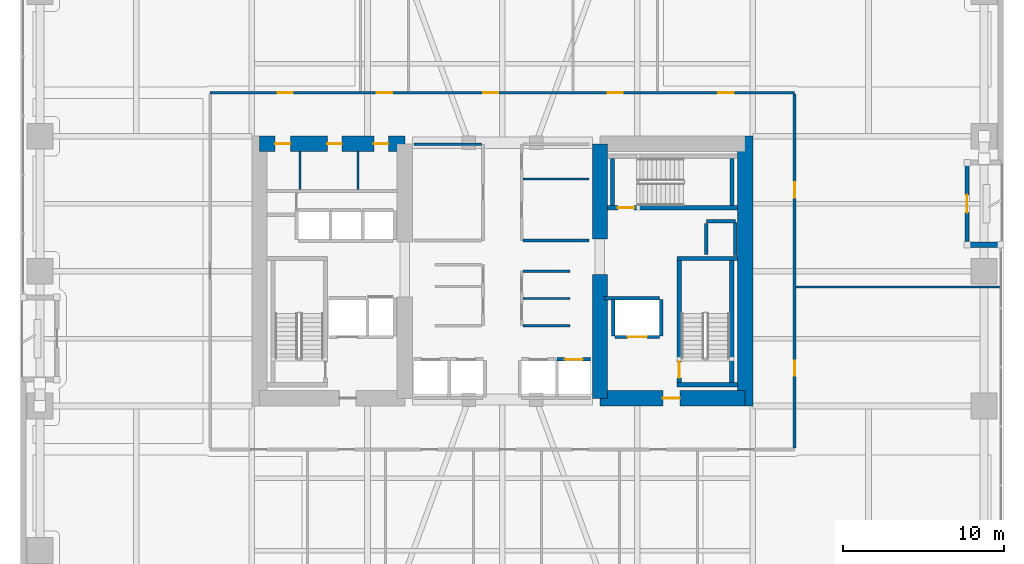
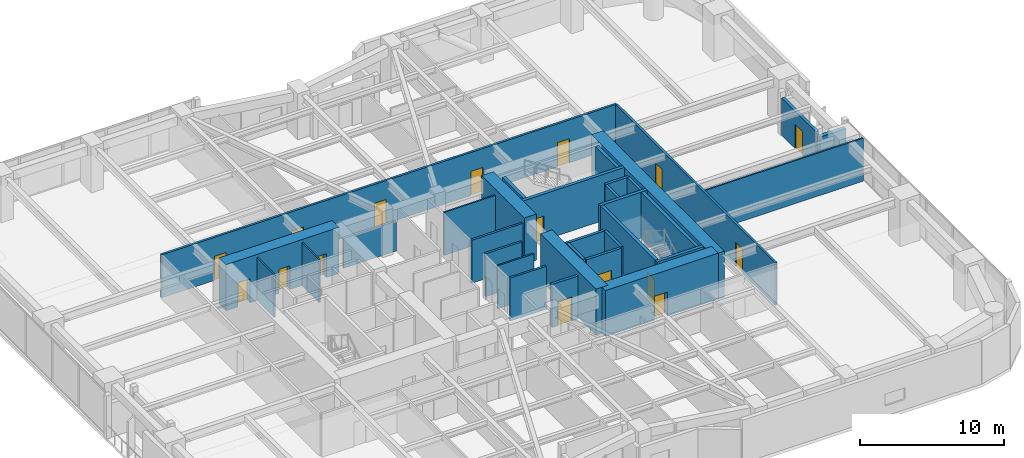
# One storey, part 24 of 29: 33 walls, 16 doors, 16 openings.
"""IFC4 building model written with IfcOpenShell, lengths in metres."""

import ifcopenshell
import ifcopenshell.guid

model = None  # the IFC model being written
_history = None  # IfcOwnerHistory: only IFC2X3 demands one
_inside = {}  # id of a spatial element -> (the spatial element, [elements in it])
_under = {}  # id of a project, library or spatial element -> (it, [spatial elements below it])
_declared = {}  # id of a project -> (the project, [libraries it declares])
_typed = {}  # id of a type object -> (the type object, [elements of that type])
_made_of = {}  # id of a material, layer set ... -> (it, [elements and type objects made of it])


def new_model(schema):
    """Start an empty IFC model of exactly this schema.

    Asked for "IFC4X3", IfcOpenShell would pick the latest addendum, in which some entities
    have other attributes; the version numbers below select the first issue.
    IFC2X3 requires an IfcOwnerHistory on every rooted entity: one is made here for all.
    """
    global model, _history
    if schema == "IFC4X3":
        model = ifcopenshell.file(schema_version=(4, 3, 0, 0))
    else:
        model = ifcopenshell.file(schema=schema)
    _inside.clear()
    _under.clear()
    _declared.clear()
    _typed.clear()
    _made_of.clear()
    _history = None
    if model.schema == "IFC2X3":
        org = make("IfcOrganization", Name="unknown")
        user = make(
            "IfcPersonAndOrganization",
            ThePerson=make("IfcPerson", FamilyName="unknown"),
            TheOrganization=org,
        )
        app = make(
            "IfcApplication",
            ApplicationDeveloper=org,
            Version="unknown",
            ApplicationFullName="unknown",
            ApplicationIdentifier="unknown",
        )
        _history = make(
            "IfcOwnerHistory",
            OwningUser=user,
            OwningApplication=app,
            ChangeAction="ADDED",
            CreationDate=0,
        )
    return model


def make(cls, **values):
    """One entity of the class cls with the attributes given. An attribute that is None is left unset."""
    return model.create_entity(
        cls, **{name: value for name, value in values.items() if value is not None}
    )


def rooted(cls, **values):
    """An entity with a GlobalId (a new one), such as an element, a storey or a relation."""
    return make(cls, GlobalId=ifcopenshell.guid.new(), OwnerHistory=_history, **values)


def si_unit(unit_type, name, prefix=None):
    """IfcSIUnit, for example si_unit("LENGTHUNIT", "METRE", prefix="MILLI")."""
    return make("IfcSIUnit", UnitType=unit_type, Prefix=prefix, Name=name)


def assignment(units):
    """IfcUnitAssignment: the units of a project."""
    return None if units is None else make("IfcUnitAssignment", Units=units)


def point(xyz):
    """IfcCartesianPoint."""
    return None if xyz is None else make("IfcCartesianPoint", Coordinates=xyz)


def direction(xyz):
    """IfcDirection."""
    return None if xyz is None else make("IfcDirection", DirectionRatios=xyz)


def frame(location, z_axis=None, x_axis=None):
    """IfcAxis2Placement3D, a coordinate frame: its origin and axes. An axis left out is left unset."""
    return make(
        "IfcAxis2Placement3D",
        Location=point(location),
        Axis=direction(z_axis),
        RefDirection=direction(x_axis),
    )


def frame_2d(location, x_axis=None):
    """IfcAxis2Placement2D, a coordinate frame in the plane: its origin and x axis."""
    return make(
        "IfcAxis2Placement2D", Location=point(location), RefDirection=direction(x_axis)
    )


def origin():
    """The frame at (0, 0, 0) with its axes left unset."""
    return frame((0.0, 0.0, 0.0))


def place(relative_to, where):
    """IfcLocalPlacement: puts the frame where relative to a parent placement (None: the world)."""
    return make(
        "IfcLocalPlacement", PlacementRelTo=relative_to, RelativePlacement=where
    )


def context(
    kind, dimensions, precision=None, world=None, true_north=None, identifier=None
):
    """IfcGeometricRepresentationContext, for example the 3D "Model" context."""
    return make(
        "IfcGeometricRepresentationContext",
        ContextIdentifier=identifier,
        ContextType=kind,
        CoordinateSpaceDimension=dimensions,
        Precision=precision,
        WorldCoordinateSystem=world,
        TrueNorth=true_north,
    )


def subcontext(parent, identifier, kind, view, scale=None):
    """IfcGeometricRepresentationSubContext, for example "Body" below "Model"."""
    return make(
        "IfcGeometricRepresentationSubContext",
        ContextIdentifier=identifier,
        ContextType=kind,
        ParentContext=parent,
        TargetScale=scale,
        TargetView=view,
    )


def project(units=None, contexts=None):
    """IfcProject with its units and contexts."""
    return rooted(
        "IfcProject",
        Name="project",
        RepresentationContexts=contexts,
        UnitsInContext=assignment(units),
    )


def spatial(cls, under=None, at=None, **own):
    """A site, building, storey or space (cls), placed at a placement, below another one or the project."""
    s = rooted(cls, ObjectPlacement=at, **own)
    if under is not None:
        _under.setdefault(under.id(), (under, []))[1].append(s)
    return s


def profile(cls, at=None, kind="AREA", **sizes):
    """A parametric profile (cls). Its sizes go by their IFC names, for example OverallWidth=200.0."""
    return make(cls, ProfileType=kind, Position=at, **sizes)


def rectangle(**sizes):
    """IfcRectangleProfileDef."""
    return profile("IfcRectangleProfileDef", **sizes)


def extrude(swept, where, along, depth):
    """IfcExtrudedAreaSolid: the profile swept, set in the frame where, extruded along a direction by depth."""
    return make(
        "IfcExtrudedAreaSolid",
        SweptArea=swept,
        Position=where,
        ExtrudedDirection=direction(along),
        Depth=depth,
    )


def shape(context_of_items, identifier, shape_type, items):
    """IfcShapeRepresentation: the items that make up one representation, for example the "Body"."""
    return make(
        "IfcShapeRepresentation",
        ContextOfItems=context_of_items,
        RepresentationIdentifier=identifier,
        RepresentationType=shape_type,
        Items=items,
    )


def material(Name=None, Category=None):
    """IfcMaterial."""
    return make("IfcMaterial", Name=Name, Category=Category)


def layer(
    of_material, thickness, ventilated=None, Name=None, Category=None, Priority=None
):
    """IfcMaterialLayer: one layer of a wall or slab, of a material (None: an air gap)."""
    return make(
        "IfcMaterialLayer",
        Material=of_material,
        LayerThickness=thickness,
        IsVentilated=ventilated,
        Name=Name,
        Category=Category,
        Priority=Priority,
    )


def layer_set(layers, Name=None):
    """IfcMaterialLayerSet."""
    return make("IfcMaterialLayerSet", MaterialLayers=layers, LayerSetName=Name)


def made_of(thing, what):
    """Note that an element or type object is made of a material, layer set ...; save() writes the relation."""
    if what is not None:
        _made_of.setdefault(what.id(), (what, []))[1].append(thing)
    return thing


def type_object(cls, material=None, **own):
    """A type object (cls), such as IfcWallType, which elements share."""
    return made_of(rooted(cls, **own), material)


def element(
    cls,
    number,
    at=None,
    inside=None,
    cuts=None,
    type_object=None,
    material=None,
    context=None,
    identifier="Body",
    shape_type=None,
    held_by="IfcProductDefinitionShape",
    body=None,
    shapes=None,
    **own,
):
    """One element of the class cls, such as IfcWall. Its Tag is "e" and its number.

    at: its placement. inside: the storey or other place that contains it. cuts: it is an
    opening in that element (IfcRelVoidsElement). A single representation is given by context,
    identifier, shape_type and body (its items); several are given by shapes. held_by: the class
    of the entity that holds the representations. save() writes the other relations.
    """
    e = rooted(cls, Tag="e%d" % number, ObjectPlacement=at, **own)
    if body is not None:
        shapes = [shape(context, identifier, shape_type, body)]
    if shapes is not None:
        e.Representation = make(held_by, Representations=shapes)
    if inside is not None:
        _inside.setdefault(inside.id(), (inside, []))[1].append(e)
    if cuts is not None:
        rooted(
            "IfcRelVoidsElement", RelatingBuildingElement=cuts, RelatedOpeningElement=e
        )
    if type_object is not None:
        _typed.setdefault(type_object.id(), (type_object, []))[1].append(e)
    return made_of(e, material)


def fill(opening, filler):
    """IfcRelFillsElement: the door or window that sits in an opening."""
    return rooted(
        "IfcRelFillsElement",
        RelatingOpeningElement=opening,
        RelatedBuildingElement=filler,
    )


def aggregate(whole, parts):
    """IfcRelAggregates: a whole, such as a stair, and the parts it consists of."""
    return rooted("IfcRelAggregates", RelatingObject=whole, RelatedObjects=parts)


def save(model, path):
    """Write the relations noted so far, then the file.

    IfcRelAggregates (storeys below a building ...), IfcRelContainedInSpatialStructure (elements
    in a storey), IfcRelDefinesByType, IfcRelAssociatesMaterial and IfcRelDeclares: one each for
    every whole, place, type object, material and project.
    """
    for whole, parts in _under.values():
        aggregate(whole, parts)
    for where, things in _inside.values():
        rooted(
            "IfcRelContainedInSpatialStructure",
            RelatedElements=things,
            RelatingStructure=where,
        )
    for kind, things in _typed.values():
        rooted("IfcRelDefinesByType", RelatedObjects=things, RelatingType=kind)
    for what, things in _made_of.values():
        rooted("IfcRelAssociatesMaterial", RelatedObjects=things, RelatingMaterial=what)
    for by, libraries in _declared.values():
        rooted("IfcRelDeclares", RelatingContext=by, RelatedDefinitions=libraries)
    model.write(path)


model = new_model("IFC4")

# Units and contexts
model_context = context("Model", 3, precision=1e-05, world=origin(), true_north=direction((0.0, 1.0)))
body_context = subcontext(model_context, "Body", "Model", "MODEL_VIEW")
ifc_project = project(units=[si_unit("LENGTHUNIT", "METRE"), si_unit("AREAUNIT", "SQUARE_METRE"), si_unit("VOLUMEUNIT", "CUBIC_METRE"), si_unit("PLANEANGLEUNIT", "RADIAN"), si_unit("MASSUNIT", "GRAM", prefix="KILO")], contexts=[model_context])

# Site, building, storey
site_placement = place(None, origin())
site = spatial("IfcSite", under=ifc_project, at=site_placement, CompositionType="ELEMENT")
building_placement = place(site_placement, origin())
building = spatial("IfcBuilding", under=site, at=building_placement, Name="Kiyonajd Concourse Tower", CompositionType="ELEMENT")
storey_placement = place(building_placement, frame((0.0, 0.0, 45.0)))
storey = spatial("IfcBuildingStorey", under=building, at=storey_placement, Name="L12", CompositionType="ELEMENT", Elevation=45.0)

# Wall, openings, doors
ifc_material_1 = material(Name="Concrete C80/95", Category="concrete")
ifc_layer_1 = layer(ifc_material_1, 0.949951171875)
ifc_layer_set_1 = layer_set([ifc_layer_1], Name="Concrete C80/95")
wall_type_1 = type_object("IfcWallType", Name="WL-CORE-950", PredefinedType="SHEAR", material=ifc_layer_set_1)
wall_1_placement = place(storey_placement, frame((32.875, 43.925048828125, 0.0), z_axis=(0.0, 0.0, 1.0), x_axis=(1.0, 0.0, 0.0)))
wall_1 = element("IfcWall", 1, at=wall_1_placement, inside=storey, type_object=wall_type_1, Name="L12 West Core North Shear Wall", PredefinedType="SHEAR", context=body_context, shape_type="SweptSolid", body=[
    extrude(rectangle(XDim=9.050048828125, YDim=0.949951171875, at=frame_2d((4.52490234375, 0.0))), origin(), (0.0, 0.0, 1.0), 3.89990234375),
])
opening_1_placement = place(wall_1_placement, frame((0.97509765625, 0.0, 0.0)))
opening_1 = element("IfcOpeningElement", 2, at=opening_1_placement, cuts=wall_1, Name="Opening DI1", PredefinedType="OPENING", context=body_context, shape_type="SweptSolid", body=[
    extrude(rectangle(XDim=0.949951171875, YDim=2.0400390625, at=frame_2d((0.47509765625, 1.02001953125))), frame((0.0, 0.48486328125, 0.0), z_axis=(0.0, -1.0, 0.0), x_axis=(1.0, 0.0, 0.0)), (0.0, 0.0, 1.0), 0.969970703125),
])
opening_2_placement = place(wall_1_placement, frame((4.22509765625, 0.0, 0.0)))
opening_2 = element("IfcOpeningElement", 3, at=opening_2_placement, cuts=wall_1, Name="Opening DI2", PredefinedType="OPENING", context=body_context, shape_type="SweptSolid", body=[
    extrude(rectangle(XDim=0.89990234375, YDim=2.02001953125, at=frame_2d((0.449951171875, 1.010009765625))), frame((0.0, 0.48486328125, 0.0), z_axis=(0.0, -1.0, 0.0), x_axis=(1.0, 0.0, 0.0)), (0.0, 0.0, 1.0), 0.969970703125),
])
opening_3_placement = place(wall_1_placement, frame((7.125, 0.0, 0.0)))
opening_3 = element("IfcOpeningElement", 4, at=opening_3_placement, cuts=wall_1, Name="Opening DI2", PredefinedType="OPENING", context=body_context, shape_type="SweptSolid", body=[
    extrude(rectangle(XDim=0.89990234375, YDim=2.02001953125, at=frame_2d((0.449951171875, 1.010009765625))), frame((0.0, 0.48486328125, 0.0), z_axis=(0.0, -1.0, 0.0), x_axis=(1.0, 0.0, 0.0)), (0.0, 0.0, 1.0), 0.969970703125),
])
ifc_material_2 = material(Name="Natural Oak Acoustic Timber Veneer", Category="wood")
door_type_1 = type_object("IfcDoorType", Name="DR-INT-900", OperationType="NOTDEFINED", PredefinedType="DOOR", material=ifc_material_2)
door_1_placement = place(opening_2_placement, origin())
door_1 = element("IfcDoor", 5, at=door_1_placement, inside=storey, type_object=door_type_1, Name="L12 Male Restroom Door", OperationType="SINGLE_SWING_RIGHT", OverallHeight=2.02001953125, OverallWidth=0.89990234375, PredefinedType="DOOR", context=body_context, shape_type="SweptSolid", body=[
    extrude(rectangle(XDim=0.89990234375, YDim=2.02001953125, at=frame_2d((0.449951171875, 1.010009765625))), frame((0.0, 0.02490234375, 0.0), z_axis=(0.0, -1.0, 0.0), x_axis=(1.0, 0.0, 0.0)), (0.0, 0.0, 1.0), 0.050048828125),
])
fill(opening_2, door_1)
door_2_placement = place(opening_3_placement, origin())
door_2 = element("IfcDoor", 6, at=door_2_placement, inside=storey, type_object=door_type_1, Name="L12 Female Restroom Door", OperationType="SINGLE_SWING_LEFT", OverallHeight=2.02001953125, OverallWidth=0.89990234375, PredefinedType="DOOR", context=body_context, shape_type="SweptSolid", body=[
    extrude(rectangle(XDim=0.89990234375, YDim=2.02001953125, at=frame_2d((0.449951171875, 1.010009765625))), frame((0.0, 0.02490234375, 0.0), z_axis=(0.0, -1.0, 0.0), x_axis=(1.0, 0.0, 0.0)), (0.0, 0.0, 1.0), 0.050048828125),
])
fill(opening_3, door_2)
door_type_2 = type_object("IfcDoorType", Name="DR-INT-950", OperationType="NOTDEFINED", PredefinedType="DOOR", material=ifc_material_2)
door_3_placement = place(opening_1_placement, origin())
door_3 = element("IfcDoor", 7, at=door_3_placement, inside=storey, type_object=door_type_2, Name="L12 Single User Accessible WC Door", OperationType="SINGLE_SWING_LEFT", OverallHeight=2.0400390625, OverallWidth=0.949951171875, PredefinedType="DOOR", context=body_context, shape_type="SweptSolid", body=[
    extrude(rectangle(XDim=0.949951171875, YDim=2.0400390625, at=frame_2d((0.47509765625, 1.02001953125))), frame((0.0, 0.02490234375, 0.0), z_axis=(0.0, -1.0, 0.0), x_axis=(1.0, 0.0, 0.0)), (0.0, 0.0, 1.0), 0.050048828125),
])
fill(opening_1, door_3)

# Walls
wall_2_placement = place(storey_placement, frame((54.074951171875, 28.074951171875, 0.0), z_axis=(0.0, 0.0, 1.0), x_axis=(0.0, 1.0, 0.0)))
element("IfcWall", 8, at=wall_2_placement, inside=storey, type_object=wall_type_1, Name="L12 East Core Inner South Shear Wall", PredefinedType="SHEAR", context=body_context, shape_type="SweptSolid", body=[
    extrude(rectangle(XDim=7.72509765625, YDim=0.949951171875, at=frame_2d((3.862548828125, 0.0))), origin(), (0.0, 0.0, 1.0), 3.89990234375),
])
wall_3_placement = place(storey_placement, frame((54.074951171875, 38.0, 0.0), z_axis=(0.0, 0.0, 1.0), x_axis=(0.0, 1.0, 0.0)))
element("IfcWall", 9, at=wall_3_placement, inside=storey, type_object=wall_type_1, Name="L12 East Core Inner North Shear Wall", PredefinedType="SHEAR", context=body_context, shape_type="SweptSolid", body=[
    extrude(rectangle(XDim=5.925048828125, YDim=0.949951171875, at=frame_2d((2.96240234375, 0.0))), origin(), (0.0, 0.0, 1.0), 3.89990234375),
])
wall_4_placement = place(storey_placement, frame((63.125, 27.60009765625, 0.0), z_axis=(0.0, 0.0, 1.0), x_axis=(0.0, 1.0, 0.0)))
element("IfcWall", 10, at=wall_4_placement, inside=storey, type_object=wall_type_1, Name="L12 East Core Outer Shear Wall", PredefinedType="SHEAR", context=body_context, shape_type="SweptSolid", body=[
    extrude(rectangle(XDim=16.7998046875, YDim=0.949951171875, at=frame_2d((8.39990234375, 0.0))), origin(), (0.0, 0.0, 1.0), 3.89990234375),
])

# Wall, opening, door
wall_5_placement = place(storey_placement, frame((54.074951171875, 28.074951171875, 0.0), z_axis=(0.0, 0.0, 1.0), x_axis=(1.0, 0.0, 0.0)))
wall_5 = element("IfcWall", 11, at=wall_5_placement, inside=storey, type_object=wall_type_1, Name="L12 East Core South Shear Wall", PredefinedType="SHEAR", context=body_context, shape_type="SweptSolid", body=[
    extrude(rectangle(XDim=9.050048828125, YDim=0.949951171875, at=frame_2d((4.52490234375, 0.0))), origin(), (0.0, 0.0, 1.0), 3.89990234375),
])
opening_4_placement = place(wall_5_placement, frame((3.925048828125, 0.0, 0.0)))
opening_4 = element("IfcOpeningElement", 12, at=opening_4_placement, cuts=wall_5, Name="Opening DF5", PredefinedType="OPENING", context=body_context, shape_type="SweptSolid", body=[
    extrude(rectangle(XDim=1.050048828125, YDim=2.0400390625, at=frame_2d((0.52490234375, 1.02001953125))), frame((0.0, 0.48486328125, 0.0), z_axis=(0.0, -1.0, 0.0), x_axis=(1.0, 0.0, 0.0)), (0.0, 0.0, 1.0), 0.969970703125),
])
ifc_material_3 = material(Name="Brushed Stainless Steel Cab Assembly", Category="steel")
door_type_3 = type_object("IfcDoorType", Name="DR-FD45-1050", OperationType="NOTDEFINED", PredefinedType="DOOR", material=ifc_material_3)
door_4_placement = place(opening_4_placement, origin())
door_4 = element("IfcDoor", 13, at=door_4_placement, inside=storey, type_object=door_type_3, Name="L12 Firefighting Lift Lobby E Smoke Door", OperationType="SINGLE_SWING_RIGHT", OverallHeight=2.0400390625, OverallWidth=1.050048828125, PredefinedType="DOOR", context=body_context, shape_type="SweptSolid", body=[
    extrude(rectangle(XDim=1.050048828125, YDim=2.0400390625, at=frame_2d((0.52490234375, 1.02001953125))), frame((0.0, 0.02490234375, 0.0), z_axis=(0.0, -1.0, 0.0), x_axis=(1.0, 0.0, 0.0)), (0.0, 0.0, 1.0), 0.050048828125),
])
fill(opening_4, door_4)

# Wall
ifc_material_4 = material(Name="Precast concrete C50/60", Category="concrete")
ifc_layer_2 = layer(ifc_material_4, 0.320068359375)
ifc_layer_set_2 = layer_set([ifc_layer_2], Name="Precast concrete C50/60")
wall_type_2 = type_object("IfcWallType", Name="WL-EXT-320", PredefinedType="SOLIDWALL", material=ifc_layer_set_2)
wall_6_placement = place(storey_placement, frame((76.93994140625, 37.639892578125, 0.0), z_axis=(0.0, 0.0, 1.0), x_axis=(1.0, 0.0, 0.0)))
element("IfcWall", 14, at=wall_6_placement, inside=storey, type_object=wall_type_2, Name="L12 Exterior Concrete Frame Wall 23", PredefinedType="SOLIDWALL", context=body_context, shape_type="SweptSolid", body=[
    extrude(rectangle(XDim=2.10009765625, YDim=0.320068359375, at=frame_2d((1.050048828125, 0.0))), origin(), (0.0, 0.0, 1.0), 2.875),
])

# Wall, opening, door
ifc_layer_3 = layer(ifc_material_4, 0.239990234375)
ifc_layer_set_3 = layer_set([ifc_layer_3], Name="Precast concrete C50/60")
wall_type_3 = type_object("IfcWallType", Name="WL-LOG-240", PredefinedType="SOLIDWALL", material=ifc_layer_set_3)
wall_7_placement = place(storey_placement, frame((76.93994140625, 42.56494140625, 0.0), z_axis=(0.0, 0.0, 1.0), x_axis=(0.0, -1.0, 0.0)))
wall_7 = element("IfcWall", 15, at=wall_7_placement, inside=storey, type_object=wall_type_3, Name="L12 Recessed Loggia Thermal Wall LOG-E", PredefinedType="SOLIDWALL", context=body_context, shape_type="SweptSolid", body=[
    extrude(rectangle(XDim=4.72998046875, YDim=0.239990234375, at=frame_2d((2.364990234375, 0.0))), origin(), (0.0, 0.0, 1.0), 3.162109375),
])
opening_5_placement = place(wall_7_placement, frame((1.81494140625, 0.0, 0.0)))
opening_5 = element("IfcOpeningElement", 16, at=opening_5_placement, cuts=wall_7, Name="Opening DL2", PredefinedType="OPENING", context=body_context, shape_type="SweptSolid", body=[
    extrude(rectangle(XDim=1.10009765625, YDim=2.0400390625, at=frame_2d((0.550048828125, 1.02001953125))), frame((0.0, 0.1298828125, 0.0), z_axis=(0.0, -1.0, 0.0), x_axis=(1.0, 0.0, 0.0)), (0.0, 0.0, 1.0), 0.260009765625),
])
ifc_material_5 = material(Name="Thermally Broken Anodised Aluminium", Category="aluminium")
door_type_4 = type_object("IfcDoorType", Name="DR-LOG-1100", OperationType="NOTDEFINED", PredefinedType="DOOR", material=ifc_material_5)
door_5_placement = place(opening_5_placement, origin())
door_5 = element("IfcDoor", 17, at=door_5_placement, inside=storey, type_object=door_type_4, Name="L12 Engawa Loggia Access Door LOG-E", OperationType="SINGLE_SWING_LEFT", OverallHeight=2.0400390625, OverallWidth=1.10009765625, PredefinedType="DOOR", context=body_context, shape_type="SweptSolid", body=[
    extrude(rectangle(XDim=1.10009765625, YDim=2.0400390625, at=frame_2d((0.550048828125, 1.02001953125))), frame((0.0, 0.02490234375, 0.0), z_axis=(0.0, -1.0, 0.0), x_axis=(1.0, 0.0, 0.0)), (0.0, 0.0, 1.0), 0.050048828125),
])
fill(opening_5, door_5)

# Walls
ifc_material_6 = material(Name="Gypsum Board on Cold-Formed Steel Stud", Category="steel")
ifc_layer_4 = layer(ifc_material_6, 0.125)
ifc_layer_set_4 = layer_set([ifc_layer_4], Name="Gypsum Board on Cold-Formed Steel Stud")
wall_type_4 = type_object("IfcWallType", Name="WL-PART-125", PredefinedType="PARTITIONING", material=ifc_layer_set_4)
for number, where, z_axis, x_axis, name in (
    (18, (35.39990234375, 41.094970703125, 0.0), (0.0, 0.0, 1.0), (0.0, 1.0, 0.0), "L12 Interior Partition Wall"),
    (19, (39.0, 41.094970703125, 0.0), (0.0, 0.0, 1.0), (0.0, 1.0, 0.0), "L12 Interior Partition Wall"),
):
    element("IfcWall", number, at=place(storey_placement, frame(where, z_axis=z_axis, x_axis=x_axis)), inside=storey, type_object=wall_type_4, Name=name, PredefinedType="PARTITIONING", context=body_context, shape_type="SweptSolid", body=[
        extrude(rectangle(XDim=2.35498046875, YDim=0.125, at=frame_2d((1.177490234375, 0.0))), origin(), (0.0, 0.0, 1.0), 3.639892578125),
    ])
wall_8_placement = place(storey_placement, frame((49.287109375, 34.300048828125, 0.0), z_axis=(0.0, 0.0, 1.0), x_axis=(1.0, 0.0, 0.0)))
element("IfcWall", 20, at=wall_8_placement, inside=storey, type_object=wall_type_4, Name="L12 Interior Partition Wall", PredefinedType="PARTITIONING", context=body_context, shape_type="SweptSolid", body=[
    extrude(rectangle(XDim=2.912841796875, YDim=0.125, at=frame_2d((1.45654296875, 0.0))), origin(), (0.0, 0.0, 1.0), 3.639892578125),
])
wall_9_placement = place(storey_placement, frame((49.287109375, 41.739990234375, 0.0), z_axis=(0.0, 0.0, 1.0), x_axis=(1.0, 0.0, 0.0)))
element("IfcWall", 21, at=wall_9_placement, inside=storey, type_object=wall_type_4, Name="L12 Interior Partition Wall", PredefinedType="PARTITIONING", context=body_context, shape_type="SweptSolid", body=[
    extrude(rectangle(XDim=4.11279296875, YDim=0.125, at=frame_2d((2.056396484375, 0.0))), origin(), (0.0, 0.0, 1.0), 3.639892578125),
])
wall_10_placement = place(storey_placement, frame((66.287109375, 35.0, 0.0), z_axis=(0.0, 0.0, 1.0), x_axis=(1.0, 0.0, 0.0)))
element("IfcWall", 22, at=wall_10_placement, inside=storey, type_object=wall_type_4, Name="L12 Interior Partition Wall", PredefinedType="PARTITIONING", context=body_context, shape_type="SweptSolid", body=[
    extrude(rectangle(XDim=12.66796875, YDim=0.125, at=frame_2d((6.333984375, 0.0))), origin(), (0.0, 0.0, 1.0), 3.639892578125),
])
ifc_layer_5 = layer(ifc_material_6, 0.2099609375)
ifc_layer_set_5 = layer_set([ifc_layer_5], Name="Gypsum Board on Cold-Formed Steel Stud")
wall_type_5 = type_object("IfcWallType", Name="WL-SHAFT-210", PredefinedType="PARTITIONING", material=ifc_layer_set_5)
wall_11_placement = place(storey_placement, frame((60.719970703125, 39.10009765625, 0.0), z_axis=(0.0, 0.0, 1.0), x_axis=(1.0, 0.0, 0.0)))
element("IfcWall", 23, at=wall_11_placement, inside=storey, type_object=wall_type_5, Name="L12 Shaft Enclosure Wall", PredefinedType="PARTITIONING", context=body_context, shape_type="SweptSolid", body=[
    extrude(rectangle(XDim=1.800048828125, YDim=0.2099609375, at=frame_2d((0.89990234375, 0.0))), origin(), (0.0, 0.0, 1.0), 3.639892578125),
])
wall_12_placement = place(storey_placement, frame((60.699951171875, 37.02001953125, 0.0), z_axis=(0.0, 0.0, 1.0), x_axis=(0.0, 1.0, 0.0)))
element("IfcWall", 24, at=wall_12_placement, inside=storey, type_object=wall_type_5, Name="L12 Shaft Enclosure Wall", PredefinedType="PARTITIONING", context=body_context, shape_type="SweptSolid", body=[
    extrude(rectangle(XDim=1.9599609375, YDim=0.2099609375, at=frame_2d((0.97998046875, 0.0))), origin(), (0.0, 0.0, 1.0), 3.639892578125),
])
wall_13_placement = place(storey_placement, frame((62.5, 36.97998046875, 0.0), z_axis=(0.0, 0.0, 1.0), x_axis=(0.0, 1.0, 0.0)))
element("IfcWall", 25, at=wall_13_placement, inside=storey, type_object=wall_type_5, Name="L12 Shaft Enclosure Wall", PredefinedType="PARTITIONING", context=body_context, shape_type="SweptSolid", body=[
    extrude(rectangle(XDim=2.0400390625, YDim=0.2099609375, at=frame_2d((1.02001953125, 0.0))), origin(), (0.0, 0.0, 1.0), 3.639892578125),
])

# Wall, opening, door
wall_14_placement = place(storey_placement, frame((55.0, 31.89990234375, 0.0), z_axis=(0.0, 0.0, 1.0), x_axis=(1.0, 0.0, 0.0)))
wall_14 = element("IfcWall", 26, at=wall_14_placement, inside=storey, type_object=wall_type_5, Name="L12 Shaft Enclosure Wall", PredefinedType="PARTITIONING", context=body_context, shape_type="SweptSolid", body=[
    extrude(rectangle(XDim=2.800048828125, YDim=0.2099609375, at=frame_2d((1.39990234375, 0.0))), origin(), (0.0, 0.0, 1.0), 3.639892578125),
])
opening_6_placement = place(wall_14_placement, frame((0.800048828125, 0.0, 0.0)))
opening_6 = element("IfcOpeningElement", 27, at=opening_6_placement, cuts=wall_14, Name="Opening LD2", PredefinedType="OPENING", context=body_context, shape_type="SweptSolid", body=[
    extrude(rectangle(XDim=1.199951171875, YDim=2.0400390625, at=frame_2d((0.60009765625, 1.02001953125))), frame((0.0, 0.114990234375, 0.0), z_axis=(0.0, -1.0, 0.0), x_axis=(1.0, 0.0, 0.0)), (0.0, 0.0, 1.0), 0.22998046875),
])
door_type_5 = type_object("IfcDoorType", Name="DR-LD-1200", OperationType="DOUBLE_DOOR_SLIDING", PredefinedType="DOOR", material=ifc_material_3)
door_6_placement = place(opening_6_placement, origin())
door_6 = element("IfcDoor", 28, at=door_6_placement, inside=storey, type_object=door_type_5, Name="L12 Lift FFL2 Sliding Landing Door", OperationType="DOUBLE_DOOR_SLIDING", OverallHeight=2.0400390625, OverallWidth=1.199951171875, PredefinedType="DOOR", context=body_context, shape_type="SweptSolid", body=[
    extrude(rectangle(XDim=1.199951171875, YDim=2.0400390625, at=frame_2d((0.60009765625, 1.02001953125))), frame((0.0, 0.02490234375, 0.0), z_axis=(0.0, -1.0, 0.0), x_axis=(1.0, 0.0, 0.0)), (0.0, 0.0, 1.0), 0.050048828125),
])
fill(opening_6, door_6)

# Walls
wall_15_placement = place(storey_placement, frame((54.320068359375, 34.300048828125, 0.0), z_axis=(0.0, 0.0, 1.0), x_axis=(1.0, 0.0, 0.0)))
element("IfcWall", 29, at=wall_15_placement, inside=storey, type_object=wall_type_5, Name="L12 Shaft Enclosure Wall", PredefinedType="PARTITIONING", context=body_context, shape_type="SweptSolid", body=[
    extrude(rectangle(XDim=3.47998046875, YDim=0.2099609375, at=frame_2d((1.739990234375, 0.0))), origin(), (0.0, 0.0, 1.0), 3.639892578125),
])
for number, where, z_axis, x_axis, name in (
    (30, (54.89990234375, 31.9599609375, 0.0), (0.0, 0.0, 1.0), (0.0, 1.0, 0.0), "L12 Shaft Enclosure Wall"),
    (31, (57.89990234375, 31.9599609375, 0.0), (0.0, 0.0, 1.0), (0.0, 1.0, 0.0), "L12 Shaft Enclosure Wall"),
):
    element("IfcWall", number, at=place(storey_placement, frame(where, z_axis=z_axis, x_axis=x_axis)), inside=storey, type_object=wall_type_5, Name=name, PredefinedType="PARTITIONING", context=body_context, shape_type="SweptSolid", body=[
        extrude(rectangle(XDim=2.280029296875, YDim=0.2099609375, at=frame_2d((1.14013671875, 0.0))), origin(), (0.0, 0.0, 1.0), 3.639892578125),
    ])

# Wall, opening, door
wall_16_placement = place(storey_placement, frame((51.39990234375, 30.5, 0.0), z_axis=(0.0, 0.0, 1.0), x_axis=(1.0, 0.0, 0.0)))
wall_16 = element("IfcWall", 32, at=wall_16_placement, inside=storey, type_object=wall_type_5, Name="L12 Shaft Enclosure Wall", PredefinedType="PARTITIONING", context=body_context, shape_type="SweptSolid", body=[
    extrude(rectangle(XDim=2.10009765625, YDim=0.2099609375, at=frame_2d((1.050048828125, 0.0))), origin(), (0.0, 0.0, 1.0), 3.639892578125),
])
opening_7_placement = place(wall_16_placement, frame((0.5, 0.0, 0.0)))
opening_7 = element("IfcOpeningElement", 33, at=opening_7_placement, cuts=wall_16, Name="Opening LD1", PredefinedType="OPENING", context=body_context, shape_type="SweptSolid", body=[
    extrude(rectangle(XDim=1.10009765625, YDim=2.0400390625, at=frame_2d((0.550048828125, 1.02001953125))), frame((0.0, 0.114990234375, 0.0), z_axis=(0.0, -1.0, 0.0), x_axis=(1.0, 0.0, 0.0)), (0.0, 0.0, 1.0), 0.22998046875),
])
door_type_6 = type_object("IfcDoorType", Name="DR-LD-1100", OperationType="DOUBLE_DOOR_SLIDING", PredefinedType="DOOR", material=ifc_material_3)
door_7_placement = place(opening_7_placement, origin())
door_7 = element("IfcDoor", 34, at=door_7_placement, inside=storey, type_object=door_type_6, Name="L12 Lift PL-L4 Sliding Landing Door", OperationType="DOUBLE_DOOR_SLIDING", OverallHeight=2.0400390625, OverallWidth=1.10009765625, PredefinedType="DOOR", context=body_context, shape_type="SweptSolid", body=[
    extrude(rectangle(XDim=1.10009765625, YDim=2.0400390625, at=frame_2d((0.550048828125, 1.02001953125))), frame((0.0, 0.02490234375, 0.0), z_axis=(0.0, -1.0, 0.0), x_axis=(1.0, 0.0, 0.0)), (0.0, 0.0, 1.0), 0.050048828125),
])
fill(opening_7, door_7)

# Walls
ifc_layer_6 = layer(ifc_material_6, 0.169921875)
ifc_layer_set_6 = layer_set([ifc_layer_6], Name="Gypsum Board on Cold-Formed Steel Stud")
wall_type_6 = type_object("IfcWallType", Name="WL-SMK-170", PredefinedType="PARTITIONING", material=ifc_layer_set_6)
for number, where, z_axis, x_axis, name in (
    (35, (49.287109375, 32.60009765625, 0.0), (0.0, 0.0, 1.0), (1.0, 0.0, 0.0), "L12 Interior Partition Wall"),
    (36, (49.287109375, 36.0, 0.0), (0.0, 0.0, 1.0), (1.0, 0.0, 0.0), "L12 Interior Partition Wall"),
):
    element("IfcWall", number, at=place(storey_placement, frame(where, z_axis=z_axis, x_axis=x_axis)), inside=storey, type_object=wall_type_6, Name=name, PredefinedType="PARTITIONING", context=body_context, shape_type="SweptSolid", body=[
        extrude(rectangle(XDim=2.912841796875, YDim=0.169921875, at=frame_2d((1.45654296875, 0.0))), origin(), (0.0, 0.0, 1.0), 3.639892578125),
    ])
wall_17_placement = place(storey_placement, frame((42.5, 43.89990234375, 0.0), z_axis=(0.0, 0.0, 1.0), x_axis=(1.0, 0.0, 0.0)))
element("IfcWall", 37, at=wall_17_placement, inside=storey, type_object=wall_type_6, Name="L12 Interior Partition Wall", PredefinedType="PARTITIONING", context=body_context, shape_type="SweptSolid", body=[
    extrude(rectangle(XDim=4.212890625, YDim=0.169921875, at=frame_2d((2.1064453125, 0.0))), origin(), (0.0, 0.0, 1.0), 2.52490234375),
])
wall_18_placement = place(storey_placement, frame((49.287109375, 37.89990234375, 0.0), z_axis=(0.0, 0.0, 1.0), x_axis=(1.0, 0.0, 0.0)))
element("IfcWall", 38, at=wall_18_placement, inside=storey, type_object=wall_type_6, Name="L12 Interior Partition Wall", PredefinedType="PARTITIONING", context=body_context, shape_type="SweptSolid", body=[
    extrude(rectangle(XDim=4.11279296875, YDim=0.169921875, at=frame_2d((2.056396484375, 0.0))), origin(), (0.0, 0.0, 1.0), 3.639892578125),
])

# Wall, openings, doors
wall_19_placement = place(storey_placement, frame((29.800048828125, 47.110107421875, 0.0), z_axis=(0.0, 0.0, 1.0), x_axis=(1.0, 0.0, 0.0)))
wall_19 = element("IfcWall", 39, at=wall_19_placement, inside=storey, type_object=wall_type_6, Name="L12 Interior Partition Wall", PredefinedType="PARTITIONING", context=body_context, shape_type="SweptSolid", body=[
    extrude(rectangle(XDim=36.39990234375, YDim=0.169921875, at=frame_2d((18.199951171875, 0.0))), origin(), (0.0, 0.0, 1.0), 3.639892578125),
])
opening_8_placement = place(wall_19_placement, frame((4.205078125, 0.0, 0.0)))
opening_8 = element("IfcOpeningElement", 40, at=opening_8_placement, cuts=wall_19, Name="Opening DI1", PredefinedType="OPENING", context=body_context, shape_type="SweptSolid", body=[
    extrude(rectangle(XDim=0.949951171875, YDim=2.0400390625, at=frame_2d((0.47509765625, 1.02001953125))), frame((0.0, 0.094970703125, 0.0), z_axis=(0.0, -1.0, 0.0), x_axis=(1.0, 0.0, 0.0)), (0.0, 0.0, 1.0), 0.18994140625),
])
opening_9_placement = place(wall_19_placement, frame((10.385009765625, 0.0, 0.0)))
opening_9 = element("IfcOpeningElement", 41, at=opening_9_placement, cuts=wall_19, Name="Opening DI1", PredefinedType="OPENING", context=body_context, shape_type="SweptSolid", body=[
    extrude(rectangle(XDim=0.949951171875, YDim=2.0400390625, at=frame_2d((0.47509765625, 1.02001953125))), frame((0.0, 0.094970703125, 0.0), z_axis=(0.0, -1.0, 0.0), x_axis=(1.0, 0.0, 0.0)), (0.0, 0.0, 1.0), 0.18994140625),
])
opening_10_placement = place(wall_19_placement, frame((17.0048828125, 0.0, 0.0)))
opening_10 = element("IfcOpeningElement", 42, at=opening_10_placement, cuts=wall_19, Name="Opening DI1", PredefinedType="OPENING", context=body_context, shape_type="SweptSolid", body=[
    extrude(rectangle(XDim=0.949951171875, YDim=2.0400390625, at=frame_2d((0.47509765625, 1.02001953125))), frame((0.0, 0.094970703125, 0.0), z_axis=(0.0, -1.0, 0.0), x_axis=(1.0, 0.0, 0.0)), (0.0, 0.0, 1.0), 0.18994140625),
])
opening_11_placement = place(wall_19_placement, frame((24.7548828125, 0.0, 0.0)))
opening_11 = element("IfcOpeningElement", 43, at=opening_11_placement, cuts=wall_19, Name="Opening DI1", PredefinedType="OPENING", context=body_context, shape_type="SweptSolid", body=[
    extrude(rectangle(XDim=0.949951171875, YDim=2.0400390625, at=frame_2d((0.47509765625, 1.02001953125))), frame((0.0, 0.094970703125, 0.0), z_axis=(0.0, -1.0, 0.0), x_axis=(1.0, 0.0, 0.0)), (0.0, 0.0, 1.0), 0.18994140625),
])
opening_12_placement = place(wall_19_placement, frame((31.655029296875, 0.0, 0.0)))
opening_12 = element("IfcOpeningElement", 44, at=opening_12_placement, cuts=wall_19, Name="Opening DI1", PredefinedType="OPENING", context=body_context, shape_type="SweptSolid", body=[
    extrude(rectangle(XDim=0.949951171875, YDim=2.0400390625, at=frame_2d((0.47509765625, 1.02001953125))), frame((0.0, 0.094970703125, 0.0), z_axis=(0.0, -1.0, 0.0), x_axis=(1.0, 0.0, 0.0)), (0.0, 0.0, 1.0), 0.18994140625),
])
door_8_placement = place(opening_8_placement, origin())
door_8 = element("IfcDoor", 45, at=door_8_placement, inside=storey, type_object=door_type_2, Name="L12 Interior Door", OperationType="SINGLE_SWING_RIGHT", OverallHeight=2.0400390625, OverallWidth=0.949951171875, PredefinedType="DOOR", context=body_context, shape_type="SweptSolid", body=[
    extrude(rectangle(XDim=0.949951171875, YDim=2.0400390625, at=frame_2d((0.47509765625, 1.02001953125))), frame((0.0, 0.02490234375, 0.0), z_axis=(0.0, -1.0, 0.0), x_axis=(1.0, 0.0, 0.0)), (0.0, 0.0, 1.0), 0.050048828125),
])
fill(opening_8, door_8)
door_9_placement = place(opening_9_placement, origin())
door_9 = element("IfcDoor", 46, at=door_9_placement, inside=storey, type_object=door_type_2, Name="L12 Interior Door", OperationType="SINGLE_SWING_LEFT", OverallHeight=2.0400390625, OverallWidth=0.949951171875, PredefinedType="DOOR", context=body_context, shape_type="SweptSolid", body=[
    extrude(rectangle(XDim=0.949951171875, YDim=2.0400390625, at=frame_2d((0.47509765625, 1.02001953125))), frame((0.0, 0.02490234375, 0.0), z_axis=(0.0, -1.0, 0.0), x_axis=(1.0, 0.0, 0.0)), (0.0, 0.0, 1.0), 0.050048828125),
])
fill(opening_9, door_9)
door_10_placement = place(opening_10_placement, origin())
door_10 = element("IfcDoor", 47, at=door_10_placement, inside=storey, type_object=door_type_2, Name="L12 Interior Door", OperationType="SINGLE_SWING_RIGHT", OverallHeight=2.0400390625, OverallWidth=0.949951171875, PredefinedType="DOOR", context=body_context, shape_type="SweptSolid", body=[
    extrude(rectangle(XDim=0.949951171875, YDim=2.0400390625, at=frame_2d((0.47509765625, 1.02001953125))), frame((0.0, 0.02490234375, 0.0), z_axis=(0.0, -1.0, 0.0), x_axis=(1.0, 0.0, 0.0)), (0.0, 0.0, 1.0), 0.050048828125),
])
fill(opening_10, door_10)
door_11_placement = place(opening_11_placement, origin())
door_11 = element("IfcDoor", 48, at=door_11_placement, inside=storey, type_object=door_type_2, Name="L12 Interior Door", OperationType="SINGLE_SWING_RIGHT", OverallHeight=2.0400390625, OverallWidth=0.949951171875, PredefinedType="DOOR", context=body_context, shape_type="SweptSolid", body=[
    extrude(rectangle(XDim=0.949951171875, YDim=2.0400390625, at=frame_2d((0.47509765625, 1.02001953125))), frame((0.0, 0.02490234375, 0.0), z_axis=(0.0, -1.0, 0.0), x_axis=(1.0, 0.0, 0.0)), (0.0, 0.0, 1.0), 0.050048828125),
])
fill(opening_11, door_11)
door_12_placement = place(opening_12_placement, origin())
door_12 = element("IfcDoor", 49, at=door_12_placement, inside=storey, type_object=door_type_2, Name="L12 Interior Door", OperationType="SINGLE_SWING_LEFT", OverallHeight=2.0400390625, OverallWidth=0.949951171875, PredefinedType="DOOR", context=body_context, shape_type="SweptSolid", body=[
    extrude(rectangle(XDim=0.949951171875, YDim=2.0400390625, at=frame_2d((0.47509765625, 1.02001953125))), frame((0.0, 0.02490234375, 0.0), z_axis=(0.0, -1.0, 0.0), x_axis=(1.0, 0.0, 0.0)), (0.0, 0.0, 1.0), 0.050048828125),
])
fill(opening_12, door_12)

wall_20_placement = place(storey_placement, frame((66.199951171875, 24.97705078125, 0.0), z_axis=(0.0, 0.0, 1.0), x_axis=(0.0, 1.0, 0.0)))
wall_20 = element("IfcWall", 50, at=wall_20_placement, inside=storey, type_object=wall_type_6, Name="L12 Interior Partition Wall", PredefinedType="PARTITIONING", context=body_context, shape_type="SweptSolid", body=[
    extrude(rectangle(XDim=22.0458984375, YDim=0.169921875, at=frame_2d((11.02294921875, 0.0))), origin(), (0.0, 0.0, 1.0), 3.639892578125),
])
opening_13_placement = place(wall_20_placement, frame((4.492919921875, 0.0, 0.0)))
opening_13 = element("IfcOpeningElement", 51, at=opening_13_placement, cuts=wall_20, Name="Opening DI1", PredefinedType="OPENING", context=body_context, shape_type="SweptSolid", body=[
    extrude(rectangle(XDim=0.949951171875, YDim=2.0400390625, at=frame_2d((0.47509765625, 1.02001953125))), frame((0.0, 0.094970703125, 0.0), z_axis=(0.0, -1.0, 0.0), x_axis=(1.0, 0.0, 0.0)), (0.0, 0.0, 1.0), 0.18994140625),
])
opening_14_placement = place(wall_20_placement, frame((15.60302734375, 0.0, 0.0)))
opening_14 = element("IfcOpeningElement", 52, at=opening_14_placement, cuts=wall_20, Name="Opening DI1", PredefinedType="OPENING", context=body_context, shape_type="SweptSolid", body=[
    extrude(rectangle(XDim=0.949951171875, YDim=2.0400390625, at=frame_2d((0.47509765625, 1.02001953125))), frame((0.0, 0.094970703125, 0.0), z_axis=(0.0, -1.0, 0.0), x_axis=(1.0, 0.0, 0.0)), (0.0, 0.0, 1.0), 0.18994140625),
])
door_13_placement = place(opening_13_placement, origin())
door_13 = element("IfcDoor", 53, at=door_13_placement, inside=storey, type_object=door_type_2, Name="L12 Interior Door", OperationType="SINGLE_SWING_LEFT", OverallHeight=2.0400390625, OverallWidth=0.949951171875, PredefinedType="DOOR", context=body_context, shape_type="SweptSolid", body=[
    extrude(rectangle(XDim=0.949951171875, YDim=2.0400390625, at=frame_2d((0.47509765625, 1.02001953125))), frame((0.0, 0.02490234375, 0.0), z_axis=(0.0, -1.0, 0.0), x_axis=(1.0, 0.0, 0.0)), (0.0, 0.0, 1.0), 0.050048828125),
])
fill(opening_13, door_13)
door_14_placement = place(opening_14_placement, origin())
door_14 = element("IfcDoor", 54, at=door_14_placement, inside=storey, type_object=door_type_2, Name="L12 Interior Door", OperationType="SINGLE_SWING_RIGHT", OverallHeight=2.0400390625, OverallWidth=0.949951171875, PredefinedType="DOOR", context=body_context, shape_type="SweptSolid", body=[
    extrude(rectangle(XDim=0.949951171875, YDim=2.0400390625, at=frame_2d((0.47509765625, 1.02001953125))), frame((0.0, 0.02490234375, 0.0), z_axis=(0.0, -1.0, 0.0), x_axis=(1.0, 0.0, 0.0)), (0.0, 0.0, 1.0), 0.050048828125),
])
fill(opening_14, door_14)

# Walls
ifc_material_7 = material(Name="Concrete C50/60", Category="concrete")
ifc_layer_7 = layer(ifc_material_7, 0.260009765625)
ifc_layer_set_7 = layer_set([ifc_layer_7], Name="Concrete C50/60")
wall_type_7 = type_object("IfcWallType", Name="WL-STAIR-260", PredefinedType="SHEAR", material=ifc_layer_set_7)
for number, where, z_axis, x_axis, name in (
    (55, (58.889892578125, 28.919921875, 0.0), (0.0, 0.0, 1.0), (1.0, 0.0, 0.0), "L12 Stair ST2 Structural South Wall"),
    (56, (58.889892578125, 36.780029296875, 0.0), (0.0, 0.0, 1.0), (1.0, 0.0, 0.0), "L12 Stair ST2 Structural North Wall"),
):
    element("IfcWall", number, at=place(storey_placement, frame(where, z_axis=z_axis, x_axis=x_axis)), inside=storey, type_object=wall_type_7, Name=name, PredefinedType="SHEAR", context=body_context, shape_type="SweptSolid", body=[
        extrude(rectangle(XDim=3.760009765625, YDim=0.260009765625, at=frame_2d((1.8798828125, 0.0))), origin(), (0.0, 0.0, 1.0), 3.89990234375),
    ])

# Wall, opening, door
wall_21_placement = place(storey_placement, frame((59.02001953125, 29.050048828125, 0.0), z_axis=(0.0, 0.0, 1.0), x_axis=(0.0, 1.0, 0.0)))
wall_21 = element("IfcWall", 57, at=wall_21_placement, inside=storey, type_object=wall_type_7, Name="L12 Stair ST2 Structural West Wall", PredefinedType="SHEAR", context=body_context, shape_type="SweptSolid", body=[
    extrude(rectangle(XDim=7.599853515625, YDim=0.260009765625, at=frame_2d((3.7998046875, 0.0))), origin(), (0.0, 0.0, 1.0), 3.89990234375),
])
opening_15_placement = place(wall_21_placement, frame((0.300048828125, 0.0, 0.0)))
opening_15 = element("IfcOpeningElement", 58, at=opening_15_placement, cuts=wall_21, Name="Opening DF1", PredefinedType="OPENING", context=body_context, shape_type="SweptSolid", body=[
    extrude(rectangle(XDim=1.0, YDim=2.0400390625, at=frame_2d((0.5, 1.02001953125))), frame((0.0, 0.139892578125, 0.0), z_axis=(0.0, -1.0, 0.0), x_axis=(1.0, 0.0, 0.0)), (0.0, 0.0, 1.0), 0.280029296875),
])
door_type_7 = type_object("IfcDoorType", Name="DR-FD90-1000", OperationType="NOTDEFINED", PredefinedType="DOOR", material=ifc_material_3)
door_15_placement = place(opening_15_placement, origin())
door_15 = element("IfcDoor", 59, at=door_15_placement, inside=storey, type_object=door_type_7, Name="L12 Stair ST2 FSAE Door", OperationType="SINGLE_SWING_RIGHT", OverallHeight=2.0400390625, OverallWidth=1.0, PredefinedType="DOOR", context=body_context, shape_type="SweptSolid", body=[
    extrude(rectangle(XDim=1.0, YDim=2.0400390625, at=frame_2d((0.5, 1.02001953125))), frame((0.0, 0.02490234375, 0.0), z_axis=(0.0, -1.0, 0.0), x_axis=(1.0, 0.0, 0.0)), (0.0, 0.0, 1.0), 0.050048828125),
])
fill(opening_15, door_15)

# Wall
wall_22_placement = place(storey_placement, frame((62.280029296875, 29.050048828125, 0.0), z_axis=(0.0, 0.0, 1.0), x_axis=(0.0, 1.0, 0.0)))
element("IfcWall", 60, at=wall_22_placement, inside=storey, type_object=wall_type_7, Name="L12 Stair ST2 Structural East Wall", PredefinedType="SHEAR", context=body_context, shape_type="SweptSolid", body=[
    extrude(rectangle(XDim=7.599853515625, YDim=0.260009765625, at=frame_2d((3.7998046875, 0.0))), origin(), (0.0, 0.0, 1.0), 3.89990234375),
])

# Wall, opening, door
wall_23_placement = place(storey_placement, frame((54.550048828125, 39.949951171875, 0.0), z_axis=(0.0, 0.0, 1.0), x_axis=(1.0, 0.0, 0.0)))
wall_23 = element("IfcWall", 61, at=wall_23_placement, inside=storey, type_object=wall_type_7, Name="L12 Stair ST3 Structural South Wall", PredefinedType="SHEAR", context=body_context, shape_type="SweptSolid", body=[
    extrude(rectangle(XDim=8.099853515625, YDim=0.260009765625, at=frame_2d((4.0498046875, 0.0))), origin(), (0.0, 0.0, 1.0), 3.89990234375),
])
opening_16_placement = place(wall_23_placement, frame((0.64990234375, 0.0, 0.0)))
opening_16 = element("IfcOpeningElement", 62, at=opening_16_placement, cuts=wall_23, Name="Opening DF1", PredefinedType="OPENING", context=body_context, shape_type="SweptSolid", body=[
    extrude(rectangle(XDim=1.0, YDim=2.0400390625, at=frame_2d((0.5, 1.02001953125))), frame((0.0, 0.139892578125, 0.0), z_axis=(0.0, -1.0, 0.0), x_axis=(1.0, 0.0, 0.0)), (0.0, 0.0, 1.0), 0.280029296875),
])
door_16_placement = place(opening_16_placement, origin())
door_16 = element("IfcDoor", 63, at=door_16_placement, inside=storey, type_object=door_type_7, Name="L12 Stair ST3 Enclosure Door", OperationType="SINGLE_SWING_LEFT", OverallHeight=2.0400390625, OverallWidth=1.0, PredefinedType="DOOR", context=body_context, shape_type="SweptSolid", body=[
    extrude(rectangle(XDim=1.0, YDim=2.0400390625, at=frame_2d((0.5, 1.02001953125))), frame((0.0, 0.02490234375, 0.0), z_axis=(0.0, -1.0, 0.0), x_axis=(1.0, 0.0, 0.0)), (0.0, 0.0, 1.0), 0.050048828125),
])
fill(opening_16, door_16)

# Walls
for number, where, z_axis, x_axis, name in (
    (64, (54.85009765625, 40.080078125, 0.0), (0.0, 0.0, 1.0), (0.0, 1.0, 0.0), "L12 Stair ST3 Structural West Wall"),
    (65, (62.31005859375, 40.080078125, 0.0), (0.0, 0.0, 1.0), (0.0, 1.0, 0.0), "L12 Stair ST3 Structural East Wall"),
):
    element("IfcWall", number, at=place(storey_placement, frame(where, z_axis=z_axis, x_axis=x_axis)), inside=storey, type_object=wall_type_7, Name=name, PredefinedType="SHEAR", context=body_context, shape_type="SweptSolid", body=[
        extrude(rectangle(XDim=2.93994140625, YDim=0.260009765625, at=frame_2d((1.469970703125, 0.0))), origin(), (0.0, 0.0, 1.0), 3.89990234375),
    ])

save(model, "model.ifc")
